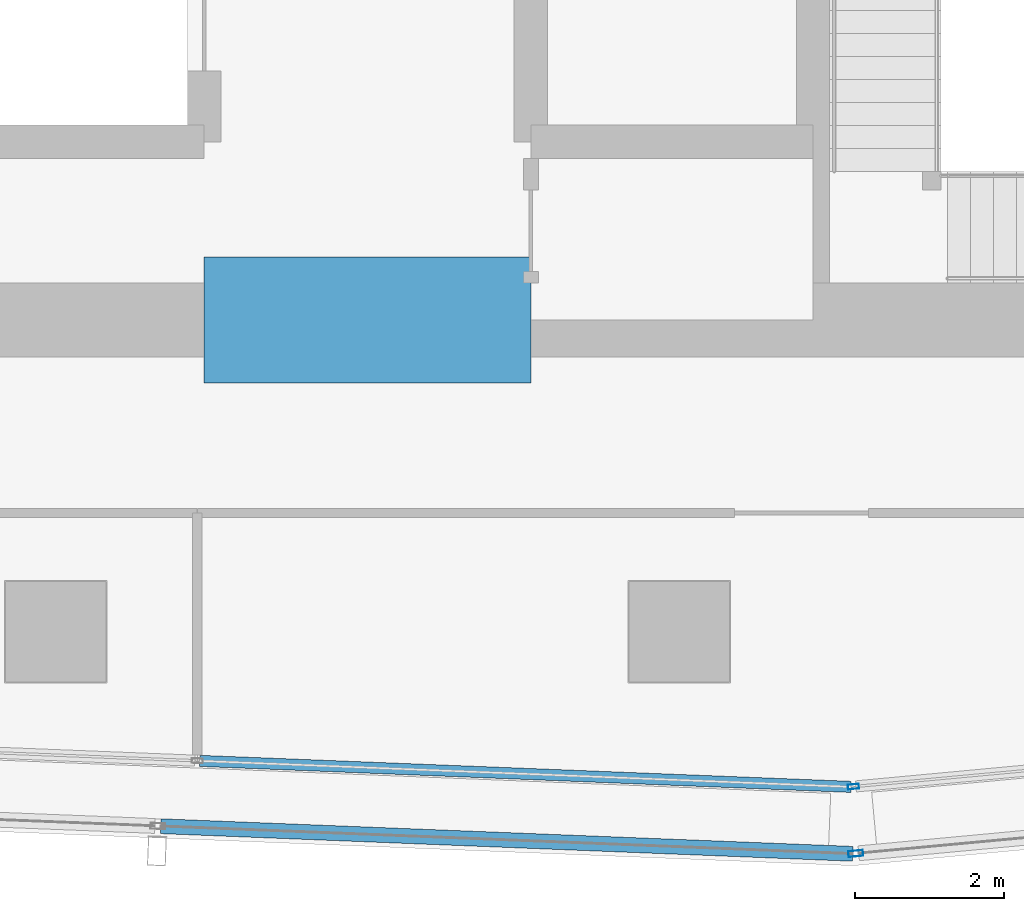
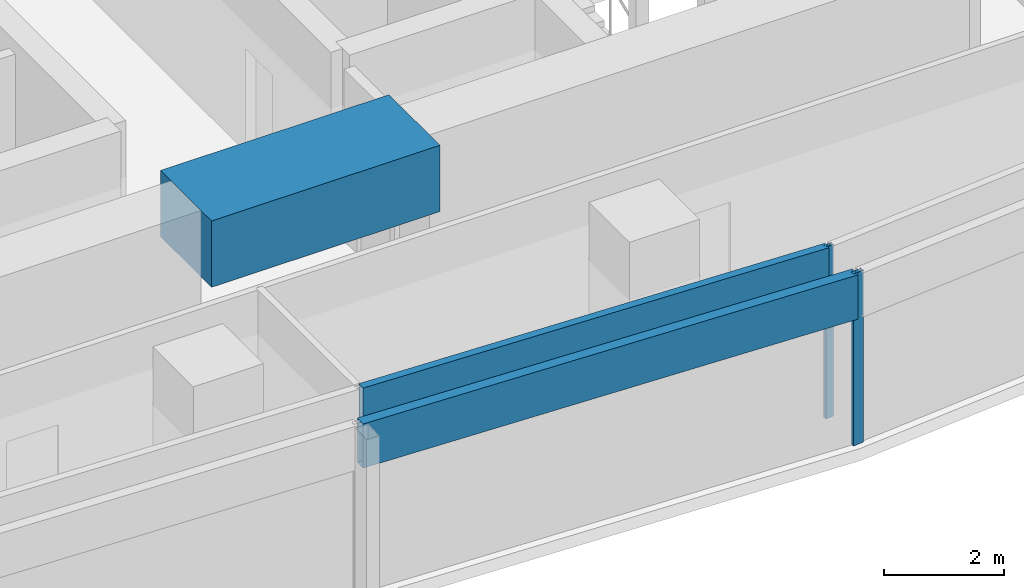
# One storey, part 10 of 39: 4 members, 1 beam, 4 elements without a shape of their own.
"""IFC4 building model written with IfcOpenShell, lengths in metres."""

from ifc_helpers import new_model, si_unit, direction, frame, origin, origin_2d, place, context, subcontext, project, spatial, rectangle, hollow_rectangle, extrude, material, material_profile, profile_set, type_object, element, aggregate, save


model = new_model("IFC4")

# Units and contexts
model_context = context("Model", 3, precision=1e-05, world=origin(), true_north=direction((0.0, 1.0)))
body_context = subcontext(model_context, "Body", "Model", "MODEL_VIEW")
ifc_project = project(units=[si_unit("LENGTHUNIT", "METRE"), si_unit("AREAUNIT", "SQUARE_METRE"), si_unit("VOLUMEUNIT", "CUBIC_METRE"), si_unit("PLANEANGLEUNIT", "RADIAN"), si_unit("MASSUNIT", "GRAM", prefix="KILO")], contexts=[model_context])

# Site, building, storey
site_placement = place(None, origin())
site = spatial("IfcSite", under=ifc_project, at=site_placement, CompositionType="ELEMENT")
building_placement = place(site_placement, origin())
building = spatial("IfcBuilding", under=site, at=building_placement, Name="Rekha Terrace Tower", CompositionType="ELEMENT")
storey_placement = place(building_placement, frame((0.0, 0.0, 217.699951171875)))
storey = spatial("IfcBuildingStorey", under=building, at=storey_placement, Name="L55", CompositionType="ELEMENT", Elevation=217.699951171875)

# Curtain wall, member
ifc_material_1 = material(Name="Aluminium framing", Category="aluminium")
curtain_wall_type_1 = type_object("IfcCurtainWallType", Name="CW1 double skin inner glazing", PredefinedType="USERDEFINED", material=ifc_material_1)
curtain_wall_1_placement = place(storey_placement, origin())
curtain_wall_1 = element("IfcCurtainWall", 1, at=curtain_wall_1_placement, inside=storey, type_object=curtain_wall_type_1, Name="CW1 double skin inner glazing", ObjectType="DOUBLE SKIN INNER GLAZING", PredefinedType="USERDEFINED")
ifc_material_2 = material(Name="Aluminium mullion section", Category="aluminium")
ifc_material_profile_1 = material_profile(ifc_material_2, hollow_rectangle(XDim=0.06494140625, YDim=0.14990234375, WallThickness=0.00390625, at=origin_2d()), Name="AL RHS 65x150")
ifc_profile_set_1 = profile_set([ifc_material_profile_1], Name="Aluminium mullion section")
member_type_1 = type_object("IfcMemberType", Name="CW1 mullion RHS 65 x 150", PredefinedType="MULLION", material=ifc_profile_set_1)
member_1_placement = place(storey_placement, frame((44.34423828125, 14.715087890625, 0.0), z_axis=(0.0, 0.0, 1.0), x_axis=(-0.092708869564, 0.995693258742, 0.0)))
member_1 = element("IfcMember", 2, at=member_1_placement, type_object=member_type_1, Name="CW1 mullion 1", PredefinedType="MULLION", context=body_context, shape_type="SweptSolid", body=[
    extrude(hollow_rectangle(XDim=0.06494140625, YDim=0.14990234375, WallThickness=0.00390625, at=origin_2d()), origin(), (0.0, 0.0, 1.0), 3.5),
])
aggregate(curtain_wall_1, [member_1])

curtain_wall_2_placement = place(storey_placement, origin())
curtain_wall_2 = element("IfcCurtainWall", 3, at=curtain_wall_2_placement, inside=storey, type_object=curtain_wall_type_1, Name="CW1 double skin inner glazing", ObjectType="DOUBLE SKIN INNER GLAZING", PredefinedType="USERDEFINED")
ifc_material_3 = material(Name="Insulated aluminium spandrel box", Category="aluminium")
ifc_material_profile_2 = material_profile(ifc_material_3, hollow_rectangle(XDim=0.14990234375, YDim=0.89990234375, WallThickness=0.0029296875, at=origin_2d()), Name="AL SPANDREL BOX 150x900")
ifc_profile_set_2 = profile_set([ifc_material_profile_2], Name="Insulated aluminium spandrel box")
member_type_2 = type_object("IfcMemberType", Name="CW1 spandrel transom 150 x 900", PredefinedType="USERDEFINED", material=ifc_profile_set_2)
member_2_placement = place(storey_placement, frame((35.5400390625, 15.06201171875, 3.050048828125), z_axis=(0.999204464505, -0.039880297311, 0.0), x_axis=(0.039880297311, 0.999204464505, 0.0)))
member_2 = element("IfcMember", 4, at=member_2_placement, type_object=member_type_2, Name="CW1 spandrel transom 4", ObjectType="TRANSOM", PredefinedType="USERDEFINED", context=body_context, shape_type="SweptSolid", body=[
    extrude(hollow_rectangle(XDim=0.14990234375, YDim=0.89990234375, WallThickness=0.0029296875, at=origin_2d()), origin(), (0.0, 0.0, 1.0), 8.77880859375),
])
aggregate(curtain_wall_2, [member_2])

curtain_wall_type_2 = type_object("IfcCurtainWallType", Name="CW2 double skin outer glazing", PredefinedType="USERDEFINED", material=ifc_material_1)
curtain_wall_3_placement = place(storey_placement, origin())
curtain_wall_3 = element("IfcCurtainWall", 5, at=curtain_wall_3_placement, inside=storey, type_object=curtain_wall_type_2, Name="CW2 double skin outer glazing", ObjectType="DOUBLE SKIN OUTER GLAZING", PredefinedType="USERDEFINED")
ifc_material_profile_3 = material_profile(ifc_material_2, hollow_rectangle(XDim=0.080078125, YDim=0.199951171875, WallThickness=0.00390625, at=origin_2d()), Name="AL RHS 80x200")
ifc_profile_set_3 = profile_set([ifc_material_profile_3], Name="Aluminium mullion section")
member_type_3 = type_object("IfcMemberType", Name="CW2 mullion RHS 80 x 200", PredefinedType="MULLION", material=ifc_profile_set_3)
member_3_placement = place(storey_placement, frame((44.37548828125, 13.81396484375, 0.0), z_axis=(0.0, 0.0, 1.0), x_axis=(-0.092708869512, 0.995693258747, 0.0)))
member_3 = element("IfcMember", 6, at=member_3_placement, type_object=member_type_3, Name="CW2 mullion 1", PredefinedType="MULLION", context=body_context, shape_type="SweptSolid", body=[
    extrude(hollow_rectangle(XDim=0.080078125, YDim=0.199951171875, WallThickness=0.00390625, at=origin_2d()), origin(), (0.0, 0.0, 1.0), 3.5),
])
aggregate(curtain_wall_3, [member_3])

curtain_wall_4_placement = place(storey_placement, origin())
curtain_wall_4 = element("IfcCurtainWall", 7, at=curtain_wall_4_placement, inside=storey, type_object=curtain_wall_type_2, Name="CW2 double skin outer glazing", ObjectType="DOUBLE SKIN OUTER GLAZING", PredefinedType="USERDEFINED")
ifc_material_profile_4 = material_profile(ifc_material_3, hollow_rectangle(XDim=0.199951171875, YDim=0.89990234375, WallThickness=0.0029296875, at=origin_2d()), Name="AL SPANDREL BOX 200x900")
ifc_profile_set_4 = profile_set([ifc_material_profile_4], Name="Insulated aluminium spandrel box")
member_type_4 = type_object("IfcMemberType", Name="CW2 spandrel transom 200 x 900", PredefinedType="USERDEFINED", material=ifc_profile_set_4)
member_4_placement = place(storey_placement, frame((35.01708984375, 14.18212890625, 3.050048828125), z_axis=(0.999204884837, -0.039869764458, 0.0), x_axis=(0.039869764458, 0.999204884837, 0.0)))
member_4 = element("IfcMember", 8, at=member_4_placement, type_object=member_type_4, Name="CW2 spandrel transom 4", ObjectType="TRANSOM", PredefinedType="USERDEFINED", context=body_context, shape_type="SweptSolid", body=[
    extrude(hollow_rectangle(XDim=0.199951171875, YDim=0.89990234375, WallThickness=0.0029296875, at=origin_2d()), origin(), (0.0, 0.0, 1.0), 9.325927734375),
])
aggregate(curtain_wall_4, [member_4])

# Beam
ifc_material_4 = material(Name="Concrete M60", Category="concrete")
ifc_material_profile_5 = material_profile(ifc_material_4, rectangle(XDim=1.699951171875, YDim=1.35009765625, at=origin_2d()), Name="RC 1700x1350")
ifc_profile_set_5 = profile_set([ifc_material_profile_5], Name="Concrete M60")
beam_type = type_object("IfcBeamType", Name="LB3A 1700x1350 diagonally reinforced coupling beam", PredefinedType="LINTEL", material=ifc_profile_set_5)
beam_placement = place(storey_placement, frame((35.60009765625, 21.0, 3.074951171875), z_axis=(1.0, 0.0, 0.0), x_axis=(0.0, 1.0, 0.0)))
element("IfcBeam", 9, at=beam_placement, inside=storey, type_object=beam_type, Name="Coupling beam LB3A S L55", PredefinedType="LINTEL", context=body_context, shape_type="SweptSolid", body=[
    extrude(rectangle(XDim=1.699951171875, YDim=1.35009765625, at=origin_2d()), origin(), (0.0, 0.0, 1.0), 4.39990234375),
])

save(model, "model.ifc")
